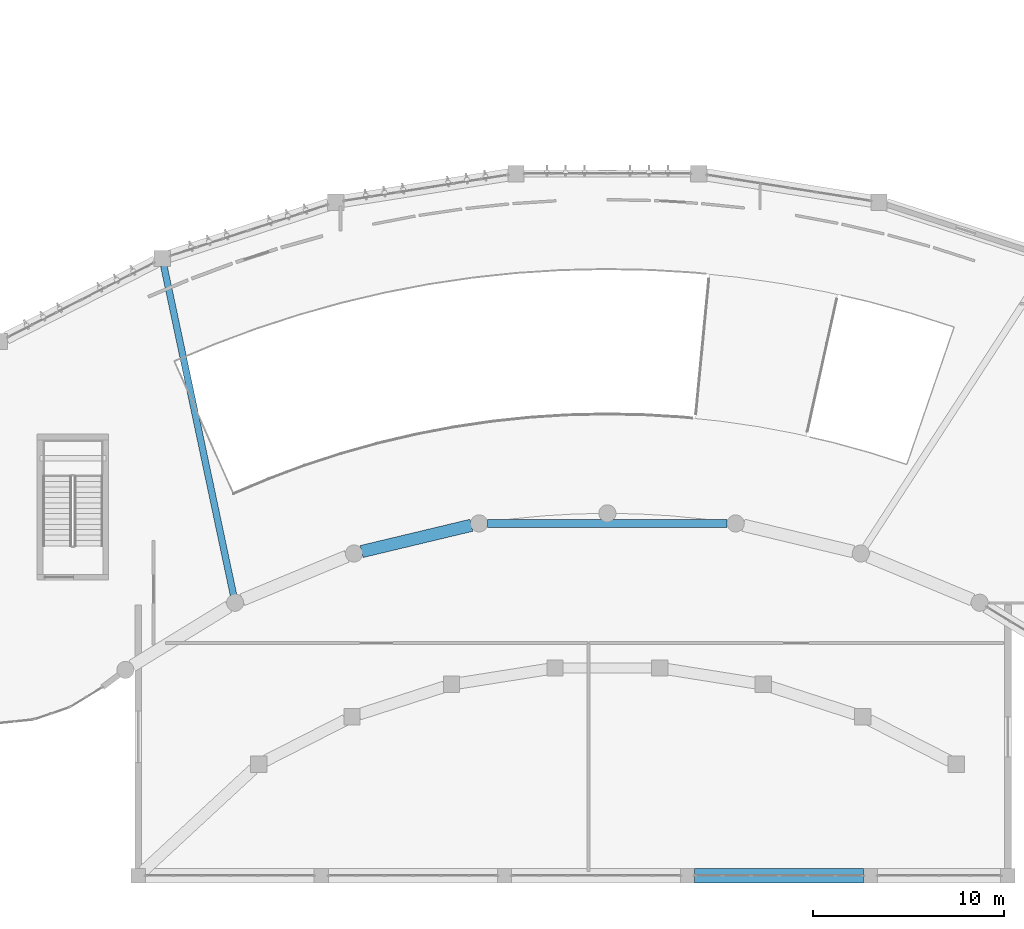
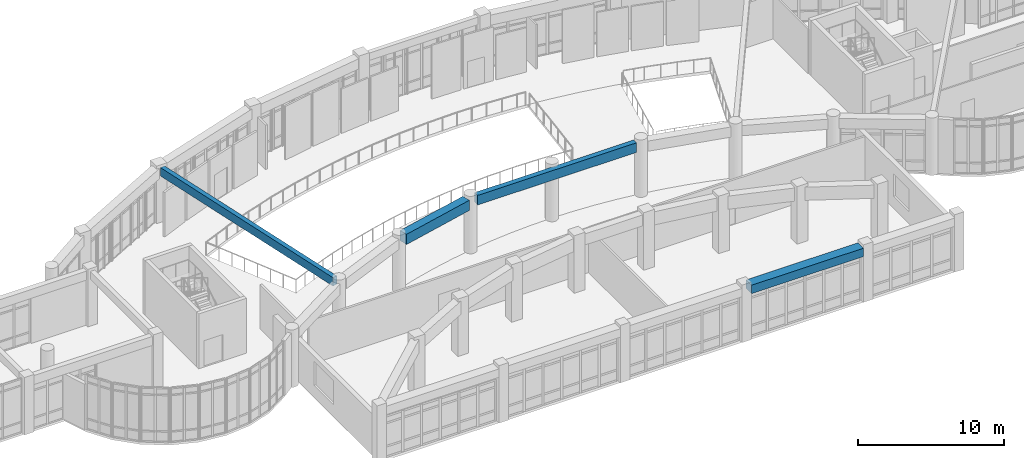
# One storey, part 14 of 68: 4 beams.
"""IFC4 building model written with IfcOpenShell, lengths in metres."""

import ifcopenshell
import ifcopenshell.guid

model = None  # the IFC model being written
_history = None  # IfcOwnerHistory: only IFC2X3 demands one
_inside = {}  # id of a spatial element -> (the spatial element, [elements in it])
_under = {}  # id of a project, library or spatial element -> (it, [spatial elements below it])
_declared = {}  # id of a project -> (the project, [libraries it declares])
_typed = {}  # id of a type object -> (the type object, [elements of that type])
_made_of = {}  # id of a material, layer set ... -> (it, [elements and type objects made of it])


def new_model(schema):
    """Start an empty IFC model of exactly this schema.

    Asked for "IFC4X3", IfcOpenShell would pick the latest addendum, in which some entities
    have other attributes; the version numbers below select the first issue.
    IFC2X3 requires an IfcOwnerHistory on every rooted entity: one is made here for all.
    """
    global model, _history
    if schema == "IFC4X3":
        model = ifcopenshell.file(schema_version=(4, 3, 0, 0))
    else:
        model = ifcopenshell.file(schema=schema)
    _inside.clear()
    _under.clear()
    _declared.clear()
    _typed.clear()
    _made_of.clear()
    _history = None
    if model.schema == "IFC2X3":
        org = make("IfcOrganization", Name="unknown")
        user = make(
            "IfcPersonAndOrganization",
            ThePerson=make("IfcPerson", FamilyName="unknown"),
            TheOrganization=org,
        )
        app = make(
            "IfcApplication",
            ApplicationDeveloper=org,
            Version="unknown",
            ApplicationFullName="unknown",
            ApplicationIdentifier="unknown",
        )
        _history = make(
            "IfcOwnerHistory",
            OwningUser=user,
            OwningApplication=app,
            ChangeAction="ADDED",
            CreationDate=0,
        )
    return model


def make(cls, **values):
    """One entity of the class cls with the attributes given. An attribute that is None is left unset."""
    return model.create_entity(
        cls, **{name: value for name, value in values.items() if value is not None}
    )


def rooted(cls, **values):
    """An entity with a GlobalId (a new one), such as an element, a storey or a relation."""
    return make(cls, GlobalId=ifcopenshell.guid.new(), OwnerHistory=_history, **values)


def si_unit(unit_type, name, prefix=None):
    """IfcSIUnit, for example si_unit("LENGTHUNIT", "METRE", prefix="MILLI")."""
    return make("IfcSIUnit", UnitType=unit_type, Prefix=prefix, Name=name)


def assignment(units):
    """IfcUnitAssignment: the units of a project."""
    return None if units is None else make("IfcUnitAssignment", Units=units)


def point(xyz):
    """IfcCartesianPoint."""
    return None if xyz is None else make("IfcCartesianPoint", Coordinates=xyz)


def direction(xyz):
    """IfcDirection."""
    return None if xyz is None else make("IfcDirection", DirectionRatios=xyz)


def frame(location, z_axis=None, x_axis=None):
    """IfcAxis2Placement3D, a coordinate frame: its origin and axes. An axis left out is left unset."""
    return make(
        "IfcAxis2Placement3D",
        Location=point(location),
        Axis=direction(z_axis),
        RefDirection=direction(x_axis),
    )


def frame_2d(location, x_axis=None):
    """IfcAxis2Placement2D, a coordinate frame in the plane: its origin and x axis."""
    return make(
        "IfcAxis2Placement2D", Location=point(location), RefDirection=direction(x_axis)
    )


def origin():
    """The frame at (0, 0, 0) with its axes left unset."""
    return frame((0.0, 0.0, 0.0))


def origin_2d():
    """The frame at (0, 0) in the plane with its x axis left unset."""
    return frame_2d((0.0, 0.0))


def place(relative_to, where):
    """IfcLocalPlacement: puts the frame where relative to a parent placement (None: the world)."""
    return make(
        "IfcLocalPlacement", PlacementRelTo=relative_to, RelativePlacement=where
    )


def context(
    kind, dimensions, precision=None, world=None, true_north=None, identifier=None
):
    """IfcGeometricRepresentationContext, for example the 3D "Model" context."""
    return make(
        "IfcGeometricRepresentationContext",
        ContextIdentifier=identifier,
        ContextType=kind,
        CoordinateSpaceDimension=dimensions,
        Precision=precision,
        WorldCoordinateSystem=world,
        TrueNorth=true_north,
    )


def subcontext(parent, identifier, kind, view, scale=None):
    """IfcGeometricRepresentationSubContext, for example "Body" below "Model"."""
    return make(
        "IfcGeometricRepresentationSubContext",
        ContextIdentifier=identifier,
        ContextType=kind,
        ParentContext=parent,
        TargetScale=scale,
        TargetView=view,
    )


def project(units=None, contexts=None):
    """IfcProject with its units and contexts."""
    return rooted(
        "IfcProject",
        Name="project",
        RepresentationContexts=contexts,
        UnitsInContext=assignment(units),
    )


def spatial(cls, under=None, at=None, **own):
    """A site, building, storey or space (cls), placed at a placement, below another one or the project."""
    s = rooted(cls, ObjectPlacement=at, **own)
    if under is not None:
        _under.setdefault(under.id(), (under, []))[1].append(s)
    return s


def profile(cls, at=None, kind="AREA", **sizes):
    """A parametric profile (cls). Its sizes go by their IFC names, for example OverallWidth=200.0."""
    return make(cls, ProfileType=kind, Position=at, **sizes)


def rectangle(**sizes):
    """IfcRectangleProfileDef."""
    return profile("IfcRectangleProfileDef", **sizes)


def extrude(swept, where, along, depth):
    """IfcExtrudedAreaSolid: the profile swept, set in the frame where, extruded along a direction by depth."""
    return make(
        "IfcExtrudedAreaSolid",
        SweptArea=swept,
        Position=where,
        ExtrudedDirection=direction(along),
        Depth=depth,
    )


def shape(context_of_items, identifier, shape_type, items):
    """IfcShapeRepresentation: the items that make up one representation, for example the "Body"."""
    return make(
        "IfcShapeRepresentation",
        ContextOfItems=context_of_items,
        RepresentationIdentifier=identifier,
        RepresentationType=shape_type,
        Items=items,
    )


def material(Name=None, Category=None):
    """IfcMaterial."""
    return make("IfcMaterial", Name=Name, Category=Category)


def material_profile(
    of_material, cross_section, Name=None, Category=None, Priority=None
):
    """IfcMaterialProfile: a cross section and its material."""
    return make(
        "IfcMaterialProfile",
        Name=Name,
        Material=of_material,
        Profile=cross_section,
        Priority=Priority,
        Category=Category,
    )


def profile_set(profiles, Name=None, composite=None):
    """IfcMaterialProfileSet."""
    return make(
        "IfcMaterialProfileSet",
        Name=Name,
        MaterialProfiles=profiles,
        CompositeProfile=composite,
    )


def made_of(thing, what):
    """Note that an element or type object is made of a material, layer set ...; save() writes the relation."""
    if what is not None:
        _made_of.setdefault(what.id(), (what, []))[1].append(thing)
    return thing


def type_object(cls, material=None, **own):
    """A type object (cls), such as IfcWallType, which elements share."""
    return made_of(rooted(cls, **own), material)


def element(
    cls,
    number,
    at=None,
    inside=None,
    cuts=None,
    type_object=None,
    material=None,
    context=None,
    identifier="Body",
    shape_type=None,
    held_by="IfcProductDefinitionShape",
    body=None,
    shapes=None,
    **own,
):
    """One element of the class cls, such as IfcWall. Its Tag is "e" and its number.

    at: its placement. inside: the storey or other place that contains it. cuts: it is an
    opening in that element (IfcRelVoidsElement). A single representation is given by context,
    identifier, shape_type and body (its items); several are given by shapes. held_by: the class
    of the entity that holds the representations. save() writes the other relations.
    """
    e = rooted(cls, Tag="e%d" % number, ObjectPlacement=at, **own)
    if body is not None:
        shapes = [shape(context, identifier, shape_type, body)]
    if shapes is not None:
        e.Representation = make(held_by, Representations=shapes)
    if inside is not None:
        _inside.setdefault(inside.id(), (inside, []))[1].append(e)
    if cuts is not None:
        rooted(
            "IfcRelVoidsElement", RelatingBuildingElement=cuts, RelatedOpeningElement=e
        )
    if type_object is not None:
        _typed.setdefault(type_object.id(), (type_object, []))[1].append(e)
    return made_of(e, material)


def aggregate(whole, parts):
    """IfcRelAggregates: a whole, such as a stair, and the parts it consists of."""
    return rooted("IfcRelAggregates", RelatingObject=whole, RelatedObjects=parts)


def save(model, path):
    """Write the relations noted so far, then the file.

    IfcRelAggregates (storeys below a building ...), IfcRelContainedInSpatialStructure (elements
    in a storey), IfcRelDefinesByType, IfcRelAssociatesMaterial and IfcRelDeclares: one each for
    every whole, place, type object, material and project.
    """
    for whole, parts in _under.values():
        aggregate(whole, parts)
    for where, things in _inside.values():
        rooted(
            "IfcRelContainedInSpatialStructure",
            RelatedElements=things,
            RelatingStructure=where,
        )
    for kind, things in _typed.values():
        rooted("IfcRelDefinesByType", RelatedObjects=things, RelatingType=kind)
    for what, things in _made_of.values():
        rooted("IfcRelAssociatesMaterial", RelatedObjects=things, RelatingMaterial=what)
    for by, libraries in _declared.values():
        rooted("IfcRelDeclares", RelatingContext=by, RelatedDefinitions=libraries)
    model.write(path)


model = new_model("IFC4")

# Units and contexts
model_context = context("Model", 3, precision=1e-05, world=origin(), true_north=direction((0.0, 1.0)))
body_context = subcontext(model_context, "Body", "Model", "MODEL_VIEW")
ifc_project = project(units=[si_unit("LENGTHUNIT", "METRE"), si_unit("AREAUNIT", "SQUARE_METRE"), si_unit("VOLUMEUNIT", "CUBIC_METRE"), si_unit("PLANEANGLEUNIT", "RADIAN"), si_unit("MASSUNIT", "GRAM", prefix="KILO")], contexts=[model_context])

# Site, building, storey
site_placement = place(None, origin())
site = spatial("IfcSite", under=ifc_project, at=site_placement, CompositionType="ELEMENT")
building_placement = place(site_placement, origin())
building = spatial("IfcBuilding", under=site, at=building_placement, Name="Miralva Faculty of Natural Sciences", CompositionType="ELEMENT")
storey_placement = place(building_placement, frame((0.0, 0.0, 5.39990234375)))
storey = spatial("IfcBuildingStorey", under=building, at=storey_placement, Name="L01", CompositionType="ELEMENT", Elevation=5.39990234375)

# Beams
ifc_material = material(Name="Concrete C40/50", Category="concrete")
ifc_material_profile_1 = material_profile(ifc_material, rectangle(XDim=0.39990234375, YDim=0.800048828125, at=origin_2d()), Name="RC 400x800")
ifc_profile_set_1 = profile_set([ifc_material_profile_1], Name="Concrete C40/50")
beam_type_1 = type_object("IfcBeamType", Name="BM-B02", PredefinedType="BEAM", material=ifc_profile_set_1)
beam_1_placement = place(storey_placement, frame((83.719970703125, 21.469970703125, 4.130126953125), z_axis=(1.0, 0.0, 0.0), x_axis=(0.0, 1.0, 0.0)))
element("IfcBeam", 1, at=beam_1_placement, inside=storey, type_object=beam_type_1, Name="Girder EW L01-22", PredefinedType="BEAM", context=body_context, shape_type="SweptSolid", body=[
    extrude(rectangle(XDim=0.39990234375, YDim=0.800048828125, at=origin_2d()), origin(), (0.0, 0.0, 1.0), 12.56005859375),
])
ifc_material_profile_2 = material_profile(ifc_material, rectangle(XDim=0.35009765625, YDim=0.699951171875, at=origin_2d()), Name="RC 350x700")
ifc_profile_set_2 = profile_set([ifc_material_profile_2], Name="Concrete C40/50")
beam_type_2 = type_object("IfcBeamType", Name="BM-B04", PredefinedType="BEAM", material=ifc_profile_set_2)
beam_2_placement = place(storey_placement, frame((70.394287109375, 17.715087890625, 4.210205078125), z_axis=(-0.20704798561, 0.978330788463, 0.0), x_axis=(-0.978330788463, -0.20704798561, 0.0)))
element("IfcBeam", 2, at=beam_2_placement, inside=storey, type_object=beam_type_2, Name="Swept-arc radial girder L01-8", PredefinedType="BEAM", context=body_context, shape_type="SweptSolid", body=[
    extrude(rectangle(XDim=0.35009765625, YDim=0.699951171875, at=origin_2d()), origin(), (0.0, 0.0, 1.0), 17.644775390625),
])
ifc_material_profile_3 = material_profile(ifc_material, rectangle(XDim=0.75, YDim=0.699951171875, at=origin_2d()), Name="RC 750x700")
ifc_profile_set_3 = profile_set([ifc_material_profile_3], Name="Concrete C40/50")
beam_type_3 = type_object("IfcBeamType", Name="BM-SP01", PredefinedType="SPANDREL", material=ifc_profile_set_3)
beam_3_placement = place(storey_placement, frame((94.574951171875, 3.0, 4.18017578125), z_axis=(1.0, 0.0, 0.0), x_axis=(0.0, 1.0, 0.0)))
element("IfcBeam", 3, at=beam_3_placement, inside=storey, type_object=beam_type_3, Name="Girder EW L01-9", PredefinedType="SPANDREL", context=body_context, shape_type="SweptSolid", body=[
    extrude(rectangle(XDim=0.75, YDim=0.699951171875, at=origin_2d()), origin(), (0.0, 0.0, 1.0), 8.85009765625),
])
ifc_material_profile_4 = material_profile(ifc_material, rectangle(XDim=0.64990234375, YDim=0.85009765625, at=origin_2d()), Name="RC 650x850")
ifc_profile_set_4 = profile_set([ifc_material_profile_4], Name="Concrete C40/50")
beam_type_4 = type_object("IfcBeamType", Name="BM-SP03", PredefinedType="SPANDREL", material=ifc_profile_set_4)
beam_4_placement = place(storey_placement, frame((82.867431640625, 21.37353515625, 4.10498046875), z_axis=(-0.972539519162, -0.232737800254, 0.0), x_axis=(0.232737800254, -0.972539519162, 0.0)))
element("IfcBeam", 4, at=beam_4_placement, inside=storey, type_object=beam_type_4, Name="Curved chord girder ARCIN L01-6", PredefinedType="SPANDREL", context=body_context, shape_type="SweptSolid", body=[
    extrude(rectangle(XDim=0.64990234375, YDim=0.85009765625, at=origin_2d()), origin(), (0.0, 0.0, 1.0), 5.91748046875),
])

save(model, "model.ifc")
